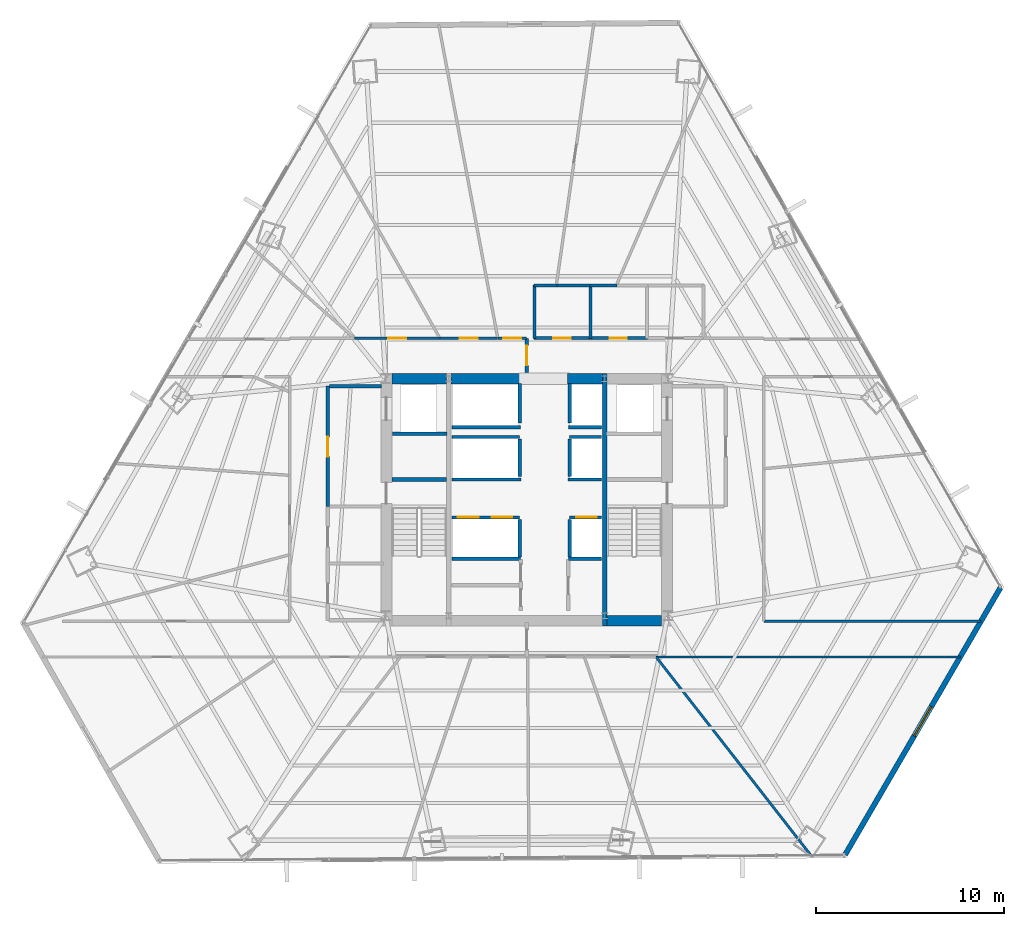
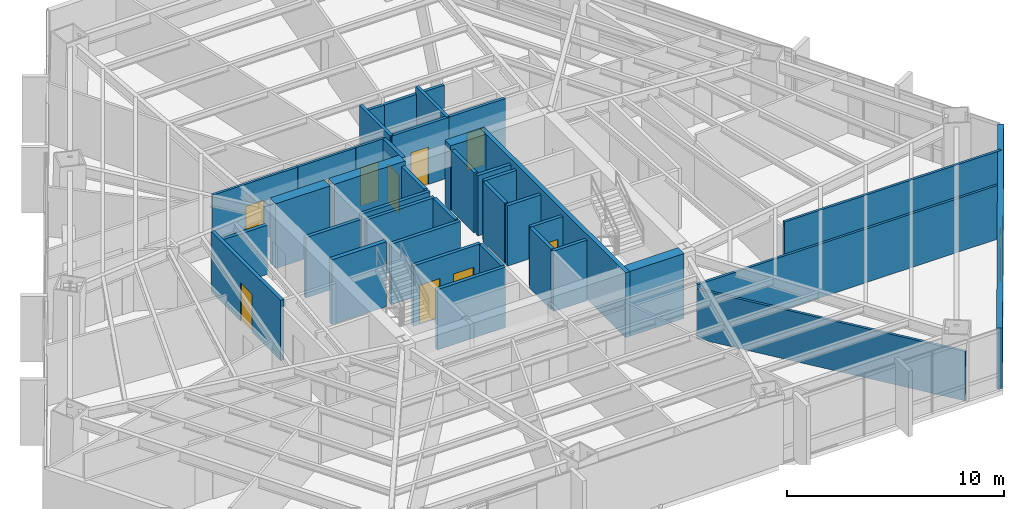
# One storey, part 30 of 34: 40 walls, 10 doors, 1 window, 11 openings.
"""IFC4 building model written with IfcOpenShell, lengths in metres."""

import ifcopenshell
import ifcopenshell.guid

model = None  # the IFC model being written
_history = None  # IfcOwnerHistory: only IFC2X3 demands one
_inside = {}  # id of a spatial element -> (the spatial element, [elements in it])
_under = {}  # id of a project, library or spatial element -> (it, [spatial elements below it])
_declared = {}  # id of a project -> (the project, [libraries it declares])
_typed = {}  # id of a type object -> (the type object, [elements of that type])
_made_of = {}  # id of a material, layer set ... -> (it, [elements and type objects made of it])


def new_model(schema):
    """Start an empty IFC model of exactly this schema.

    Asked for "IFC4X3", IfcOpenShell would pick the latest addendum, in which some entities
    have other attributes; the version numbers below select the first issue.
    IFC2X3 requires an IfcOwnerHistory on every rooted entity: one is made here for all.
    """
    global model, _history
    if schema == "IFC4X3":
        model = ifcopenshell.file(schema_version=(4, 3, 0, 0))
    else:
        model = ifcopenshell.file(schema=schema)
    _inside.clear()
    _under.clear()
    _declared.clear()
    _typed.clear()
    _made_of.clear()
    _history = None
    if model.schema == "IFC2X3":
        org = make("IfcOrganization", Name="unknown")
        user = make(
            "IfcPersonAndOrganization",
            ThePerson=make("IfcPerson", FamilyName="unknown"),
            TheOrganization=org,
        )
        app = make(
            "IfcApplication",
            ApplicationDeveloper=org,
            Version="unknown",
            ApplicationFullName="unknown",
            ApplicationIdentifier="unknown",
        )
        _history = make(
            "IfcOwnerHistory",
            OwningUser=user,
            OwningApplication=app,
            ChangeAction="ADDED",
            CreationDate=0,
        )
    return model


def make(cls, **values):
    """One entity of the class cls with the attributes given. An attribute that is None is left unset."""
    return model.create_entity(
        cls, **{name: value for name, value in values.items() if value is not None}
    )


def rooted(cls, **values):
    """An entity with a GlobalId (a new one), such as an element, a storey or a relation."""
    return make(cls, GlobalId=ifcopenshell.guid.new(), OwnerHistory=_history, **values)


def si_unit(unit_type, name, prefix=None):
    """IfcSIUnit, for example si_unit("LENGTHUNIT", "METRE", prefix="MILLI")."""
    return make("IfcSIUnit", UnitType=unit_type, Prefix=prefix, Name=name)


def assignment(units):
    """IfcUnitAssignment: the units of a project."""
    return None if units is None else make("IfcUnitAssignment", Units=units)


def point(xyz):
    """IfcCartesianPoint."""
    return None if xyz is None else make("IfcCartesianPoint", Coordinates=xyz)


def direction(xyz):
    """IfcDirection."""
    return None if xyz is None else make("IfcDirection", DirectionRatios=xyz)


def frame(location, z_axis=None, x_axis=None):
    """IfcAxis2Placement3D, a coordinate frame: its origin and axes. An axis left out is left unset."""
    return make(
        "IfcAxis2Placement3D",
        Location=point(location),
        Axis=direction(z_axis),
        RefDirection=direction(x_axis),
    )


def frame_2d(location, x_axis=None):
    """IfcAxis2Placement2D, a coordinate frame in the plane: its origin and x axis."""
    return make(
        "IfcAxis2Placement2D", Location=point(location), RefDirection=direction(x_axis)
    )


def origin():
    """The frame at (0, 0, 0) with its axes left unset."""
    return frame((0.0, 0.0, 0.0))


def place(relative_to, where):
    """IfcLocalPlacement: puts the frame where relative to a parent placement (None: the world)."""
    return make(
        "IfcLocalPlacement", PlacementRelTo=relative_to, RelativePlacement=where
    )


def context(
    kind, dimensions, precision=None, world=None, true_north=None, identifier=None
):
    """IfcGeometricRepresentationContext, for example the 3D "Model" context."""
    return make(
        "IfcGeometricRepresentationContext",
        ContextIdentifier=identifier,
        ContextType=kind,
        CoordinateSpaceDimension=dimensions,
        Precision=precision,
        WorldCoordinateSystem=world,
        TrueNorth=true_north,
    )


def subcontext(parent, identifier, kind, view, scale=None):
    """IfcGeometricRepresentationSubContext, for example "Body" below "Model"."""
    return make(
        "IfcGeometricRepresentationSubContext",
        ContextIdentifier=identifier,
        ContextType=kind,
        ParentContext=parent,
        TargetScale=scale,
        TargetView=view,
    )


def project(units=None, contexts=None):
    """IfcProject with its units and contexts."""
    return rooted(
        "IfcProject",
        Name="project",
        RepresentationContexts=contexts,
        UnitsInContext=assignment(units),
    )


def spatial(cls, under=None, at=None, **own):
    """A site, building, storey or space (cls), placed at a placement, below another one or the project."""
    s = rooted(cls, ObjectPlacement=at, **own)
    if under is not None:
        _under.setdefault(under.id(), (under, []))[1].append(s)
    return s


def profile(cls, at=None, kind="AREA", **sizes):
    """A parametric profile (cls). Its sizes go by their IFC names, for example OverallWidth=200.0."""
    return make(cls, ProfileType=kind, Position=at, **sizes)


def rectangle(**sizes):
    """IfcRectangleProfileDef."""
    return profile("IfcRectangleProfileDef", **sizes)


def extrude(swept, where, along, depth):
    """IfcExtrudedAreaSolid: the profile swept, set in the frame where, extruded along a direction by depth."""
    return make(
        "IfcExtrudedAreaSolid",
        SweptArea=swept,
        Position=where,
        ExtrudedDirection=direction(along),
        Depth=depth,
    )


def shape(context_of_items, identifier, shape_type, items):
    """IfcShapeRepresentation: the items that make up one representation, for example the "Body"."""
    return make(
        "IfcShapeRepresentation",
        ContextOfItems=context_of_items,
        RepresentationIdentifier=identifier,
        RepresentationType=shape_type,
        Items=items,
    )


def material(Name=None, Category=None):
    """IfcMaterial."""
    return make("IfcMaterial", Name=Name, Category=Category)


def layer(
    of_material, thickness, ventilated=None, Name=None, Category=None, Priority=None
):
    """IfcMaterialLayer: one layer of a wall or slab, of a material (None: an air gap)."""
    return make(
        "IfcMaterialLayer",
        Material=of_material,
        LayerThickness=thickness,
        IsVentilated=ventilated,
        Name=Name,
        Category=Category,
        Priority=Priority,
    )


def layer_set(layers, Name=None):
    """IfcMaterialLayerSet."""
    return make("IfcMaterialLayerSet", MaterialLayers=layers, LayerSetName=Name)


def made_of(thing, what):
    """Note that an element or type object is made of a material, layer set ...; save() writes the relation."""
    if what is not None:
        _made_of.setdefault(what.id(), (what, []))[1].append(thing)
    return thing


def type_object(cls, material=None, **own):
    """A type object (cls), such as IfcWallType, which elements share."""
    return made_of(rooted(cls, **own), material)


def element(
    cls,
    number,
    at=None,
    inside=None,
    cuts=None,
    type_object=None,
    material=None,
    context=None,
    identifier="Body",
    shape_type=None,
    held_by="IfcProductDefinitionShape",
    body=None,
    shapes=None,
    **own,
):
    """One element of the class cls, such as IfcWall. Its Tag is "e" and its number.

    at: its placement. inside: the storey or other place that contains it. cuts: it is an
    opening in that element (IfcRelVoidsElement). A single representation is given by context,
    identifier, shape_type and body (its items); several are given by shapes. held_by: the class
    of the entity that holds the representations. save() writes the other relations.
    """
    e = rooted(cls, Tag="e%d" % number, ObjectPlacement=at, **own)
    if body is not None:
        shapes = [shape(context, identifier, shape_type, body)]
    if shapes is not None:
        e.Representation = make(held_by, Representations=shapes)
    if inside is not None:
        _inside.setdefault(inside.id(), (inside, []))[1].append(e)
    if cuts is not None:
        rooted(
            "IfcRelVoidsElement", RelatingBuildingElement=cuts, RelatedOpeningElement=e
        )
    if type_object is not None:
        _typed.setdefault(type_object.id(), (type_object, []))[1].append(e)
    return made_of(e, material)


def fill(opening, filler):
    """IfcRelFillsElement: the door or window that sits in an opening."""
    return rooted(
        "IfcRelFillsElement",
        RelatingOpeningElement=opening,
        RelatedBuildingElement=filler,
    )


def aggregate(whole, parts):
    """IfcRelAggregates: a whole, such as a stair, and the parts it consists of."""
    return rooted("IfcRelAggregates", RelatingObject=whole, RelatedObjects=parts)


def save(model, path):
    """Write the relations noted so far, then the file.

    IfcRelAggregates (storeys below a building ...), IfcRelContainedInSpatialStructure (elements
    in a storey), IfcRelDefinesByType, IfcRelAssociatesMaterial and IfcRelDeclares: one each for
    every whole, place, type object, material and project.
    """
    for whole, parts in _under.values():
        aggregate(whole, parts)
    for where, things in _inside.values():
        rooted(
            "IfcRelContainedInSpatialStructure",
            RelatedElements=things,
            RelatingStructure=where,
        )
    for kind, things in _typed.values():
        rooted("IfcRelDefinesByType", RelatedObjects=things, RelatingType=kind)
    for what, things in _made_of.values():
        rooted("IfcRelAssociatesMaterial", RelatedObjects=things, RelatingMaterial=what)
    for by, libraries in _declared.values():
        rooted("IfcRelDeclares", RelatingContext=by, RelatedDefinitions=libraries)
    model.write(path)


model = new_model("IFC4")

# Units and contexts
model_context = context("Model", 3, precision=1e-05, world=origin(), true_north=direction((0.0, 1.0)))
body_context = subcontext(model_context, "Body", "Model", "MODEL_VIEW")
ifc_project = project(units=[si_unit("LENGTHUNIT", "METRE"), si_unit("AREAUNIT", "SQUARE_METRE"), si_unit("VOLUMEUNIT", "CUBIC_METRE"), si_unit("PLANEANGLEUNIT", "RADIAN"), si_unit("MASSUNIT", "GRAM", prefix="KILO")], contexts=[model_context])

# Site, building, storey
site_placement = place(None, origin())
site = spatial("IfcSite", under=ifc_project, at=site_placement, CompositionType="ELEMENT")
building_placement = place(site_placement, origin())
building = spatial("IfcBuilding", under=site, at=building_placement, Name="Caelisora Broadcast Tower", CompositionType="ELEMENT")
storey_placement = place(building_placement, frame((0.0, 0.0, 56.800048828125)))
storey = spatial("IfcBuildingStorey", under=building, at=storey_placement, Name="L14", CompositionType="ELEMENT", Elevation=56.800048828125)

# Walls
ifc_material_1 = material(Name="Concrete 65 MPa (AS 3600 S65)", Category="concrete")
ifc_layer_1 = layer(ifc_material_1, 0.550048828125, Name="Concrete 65 MPa (AS 3600 S65)")
ifc_layer_set_1 = layer_set([ifc_layer_1], Name="Concrete 65 MPa (AS 3600 S65)")
wall_type_1 = type_object("IfcWallType", Name="CW4", PredefinedType="SHEAR", material=ifc_layer_set_1)
for number, where, z_axis, x_axis, name in (
    (1, (42.260009765625, 17.125, 0.0), (0.0, 0.0, 1.0), (1.0, 0.0, 0.0), "L14 core shear wall CW4"),
    (2, (30.840087890625, 30.0, 0.0), (0.0, 0.0, 1.0), (1.0, 0.0, 0.0), "L14 core shear wall CW4"),
):
    element("IfcWall", number, at=place(storey_placement, frame(where, z_axis=z_axis, x_axis=x_axis)), inside=storey, type_object=wall_type_1, Name=name, PredefinedType="SHEAR", context=body_context, shape_type="SweptSolid", body=[
        extrude(rectangle(XDim=2.89990234375, YDim=0.550048828125, at=frame_2d((1.449951171875, 0.0))), origin(), (0.0, 0.0, 1.0), 3.64990234375),
    ])
wall_1_placement = place(storey_placement, frame((33.9599609375, 30.0, 0.0), z_axis=(0.0, 0.0, 1.0), x_axis=(1.0, 0.0, 0.0)))
element("IfcWall", 3, at=wall_1_placement, inside=storey, type_object=wall_type_1, Name="L14 core shear wall CW4", PredefinedType="SHEAR", context=body_context, shape_type="SweptSolid", body=[
    extrude(rectangle(XDim=3.780029296875, YDim=0.550048828125, at=frame_2d((1.89013671875, 0.0))), origin(), (0.0, 0.0, 1.0), 3.64990234375),
])
wall_2_placement = place(storey_placement, frame((40.159912109375, 30.0, 0.0), z_axis=(0.0, 0.0, 1.0), x_axis=(1.0, 0.0, 0.0)))
element("IfcWall", 4, at=wall_2_placement, inside=storey, type_object=wall_type_1, Name="L14 core shear wall CW4", PredefinedType="SHEAR", context=body_context, shape_type="SweptSolid", body=[
    extrude(rectangle(XDim=1.880126953125, YDim=0.550048828125, at=frame_2d((0.93994140625, 0.0))), origin(), (0.0, 0.0, 1.0), 3.64990234375),
])
ifc_material_2 = material(Name="Concrete 50 MPa (AS 3600 S50)", Category="concrete")
ifc_layer_2 = layer(ifc_material_2, 0.219970703125, Name="Concrete 50 MPa (AS 3600 S50)")
ifc_layer_set_2 = layer_set([ifc_layer_2], Name="Concrete 50 MPa (AS 3600 S50)")
wall_type_2 = type_object("IfcWallType", Name="CW7", PredefinedType="SHEAR", material=ifc_layer_set_2)
wall_3_placement = place(storey_placement, frame((42.14990234375, 16.85009765625, 0.0), z_axis=(0.0, 0.0, 1.0), x_axis=(0.0, 1.0, 0.0)))
element("IfcWall", 5, at=wall_3_placement, inside=storey, type_object=wall_type_2, Name="L14 core shear wall CW7", PredefinedType="SHEAR", context=body_context, shape_type="SweptSolid", body=[
    extrude(rectangle(XDim=13.4248046875, YDim=0.219970703125, at=frame_2d((6.71240234375, 0.0))), origin(), (0.0, 0.0, 1.0), 3.64990234375),
])
wall_4_placement = place(storey_placement, frame((30.840087890625, 24.639892578125, 0.0), z_axis=(0.0, 0.0, 1.0), x_axis=(1.0, 0.0, 0.0)))
element("IfcWall", 6, at=wall_4_placement, inside=storey, type_object=wall_type_2, Name="L14 core shear wall CW7", PredefinedType="SHEAR", context=body_context, shape_type="SweptSolid", body=[
    extrude(rectangle(XDim=2.89990234375, YDim=0.219970703125, at=frame_2d((1.449951171875, 0.0))), origin(), (0.0, 0.0, 1.0), 3.64990234375),
])

# Wall, opening, window
ifc_material_3 = material(Name="Insulated Terracotta Spandrel Wall System", Category="masonry")
ifc_layer_3 = layer(ifc_material_3, 0.280029296875, Name="Insulated Terracotta Spandrel Wall System")
ifc_layer_set_3 = layer_set([ifc_layer_3], Name="Insulated Terracotta Spandrel Wall System")
wall_type_3 = type_object("IfcWallType", Name="EW1", PredefinedType="STANDARD", material=ifc_layer_set_3)
wall_5_placement = place(storey_placement, frame((63.18701171875, 18.882080078125, 0.0), z_axis=(0.0, 0.0, 1.0), x_axis=(-0.502856411097, -0.864369961197, 0.0)))
wall_5 = element("IfcWall", 7, at=wall_5_placement, inside=storey, type_object=wall_type_3, Name="L14 exterior envelope wall EW1", PredefinedType="STANDARD", context=body_context, shape_type="SweptSolid", body=[
    extrude(rectangle(XDim=16.41796875, YDim=0.280029296875, at=frame_2d((8.208984375, 0.0))), origin(), (0.0, 0.0, 1.0), 3.39990234375),
])
opening_1_placement = place(wall_5_placement, frame((7.31005859375, 0.0, 0.89990234375)))
opening_1 = element("IfcOpeningElement", 8, at=opening_1_placement, cuts=wall_5, Name="Opening W01", PredefinedType="OPENING", context=body_context, shape_type="SweptSolid", body=[
    extrude(rectangle(XDim=1.800048828125, YDim=1.800048828125, at=frame_2d((0.89990234375, 0.89990234375))), frame((0.0, 0.152099609375, 0.0), z_axis=(0.0, -1.0, 0.0), x_axis=(1.0, 0.0, 0.0)), (0.0, 0.0, 1.0), 0.303955078125),
])
ifc_material_4 = material(Name="Double Glazed Terracotta-Framed Vision Window", Category="glass")
window_type = type_object("IfcWindowType", Name="W01", PartitioningType="SINGLE_PANEL", PredefinedType="WINDOW", material=ifc_material_4)
window_placement = place(opening_1_placement, origin())
window = element("IfcWindow", 9, at=window_placement, inside=storey, type_object=window_type, Name="L14 window W01 (L14-WN-CH0)", OverallHeight=1.800048828125, OverallWidth=1.800048828125, PartitioningType="SINGLE_PANEL", PredefinedType="WINDOW", context=body_context, shape_type="SweptSolid", body=[
    extrude(rectangle(XDim=1.800048828125, YDim=1.800048828125, at=frame_2d((0.89990234375, 0.89990234375))), frame((0.0, 0.030029296875, 0.0), z_axis=(0.0, -1.0, 0.0), x_axis=(1.0, 0.0, 0.0)), (0.0, 0.0, 1.0), 0.06005859375),
])
fill(opening_1, window)

# Wall, openings, doors
ifc_material_5 = material(Name="Fire-Rated Gypsum Shaft and Compartment Wall", Category="gypsum")
ifc_layer_4 = layer(ifc_material_5, 0.179931640625, Name="Fire-Rated Gypsum Shaft and Compartment Wall")
ifc_layer_set_4 = layer_set([ifc_layer_4], Name="Fire-Rated Gypsum Shaft and Compartment Wall")
wall_type_4 = type_object("IfcWallType", Name="PW2", PredefinedType="PARTITIONING", material=ifc_layer_set_4)
wall_6_placement = place(storey_placement, frame((34.02001953125, 22.6201171875, 0.0), z_axis=(0.0, 0.0, 1.0), x_axis=(1.0, 0.0, 0.0)))
wall_6 = element("IfcWall", 10, at=wall_6_placement, inside=storey, type_object=wall_type_4, Name="L14 fire compartment wall PW2", PredefinedType="PARTITIONING", context=body_context, shape_type="SweptSolid", body=[
    extrude(rectangle(XDim=3.60009765625, YDim=0.179931640625, at=frame_2d((1.800048828125, 0.0))), origin(), (0.0, 0.0, 1.0), 3.39990234375),
])
opening_2_placement = place(wall_6_placement, frame((0.320068359375, 0.0, 0.0)))
opening_2 = element("IfcOpeningElement", 11, at=opening_2_placement, cuts=wall_6, Name="Opening LD01", PredefinedType="OPENING", context=body_context, shape_type="SweptSolid", body=[
    extrude(rectangle(XDim=1.10009765625, YDim=2.199951171875, at=frame_2d((0.550048828125, 1.10009765625))), frame((0.0, 0.10205078125, 0.0), z_axis=(0.0, -1.0, 0.0), x_axis=(1.0, 0.0, 0.0)), (0.0, 0.0, 1.0), 0.203857421875),
])
opening_3_placement = place(wall_6_placement, frame((2.1201171875, 0.0, 0.0)))
opening_3 = element("IfcOpeningElement", 12, at=opening_3_placement, cuts=wall_6, Name="Opening LD01", PredefinedType="OPENING", context=body_context, shape_type="SweptSolid", body=[
    extrude(rectangle(XDim=1.10009765625, YDim=2.199951171875, at=frame_2d((0.550048828125, 1.10009765625))), frame((0.0, 0.10205078125, 0.0), z_axis=(0.0, -1.0, 0.0), x_axis=(1.0, 0.0, 0.0)), (0.0, 0.0, 1.0), 0.203857421875),
])
ifc_material_6 = material(Name="Stainless Steel Centre-Parting Lift Landing Door", Category="steel")
door_type_1 = type_object("IfcDoorType", Name="LD01", OperationType="NOTDEFINED", PredefinedType="DOOR", material=ifc_material_6)
door_1_placement = place(opening_2_placement, origin())
door_1 = element("IfcDoor", 13, at=door_1_placement, inside=storey, type_object=door_type_1, Name="L14 door LD01 (L14-LD-PLL1)", OperationType="SLIDING_TO_LEFT", OverallHeight=2.199951171875, OverallWidth=1.10009765625, PredefinedType="DOOR", context=body_context, shape_type="SweptSolid", body=[
    extrude(rectangle(XDim=1.10009765625, YDim=2.199951171875, at=frame_2d((0.550048828125, 1.10009765625))), frame((0.0, 0.02490234375, 0.0), z_axis=(0.0, -1.0, 0.0), x_axis=(1.0, 0.0, 0.0)), (0.0, 0.0, 1.0), 0.050048828125),
])
fill(opening_2, door_1)
door_2_placement = place(opening_3_placement, origin())
door_2 = element("IfcDoor", 14, at=door_2_placement, inside=storey, type_object=door_type_1, Name="L14 door LD01 (L14-LD-PLL2)", OperationType="SLIDING_TO_RIGHT", OverallHeight=2.199951171875, OverallWidth=1.10009765625, PredefinedType="DOOR", context=body_context, shape_type="SweptSolid", body=[
    extrude(rectangle(XDim=1.10009765625, YDim=2.199951171875, at=frame_2d((0.550048828125, 1.10009765625))), frame((0.0, 0.02490234375, 0.0), z_axis=(0.0, -1.0, 0.0), x_axis=(1.0, 0.0, 0.0)), (0.0, 0.0, 1.0), 0.050048828125),
])
fill(opening_3, door_2)

# Wall, opening, door
wall_7_placement = place(storey_placement, frame((40.280029296875, 22.6201171875, 0.0), z_axis=(0.0, 0.0, 1.0), x_axis=(1.0, 0.0, 0.0)))
wall_7 = element("IfcWall", 15, at=wall_7_placement, inside=storey, type_object=wall_type_4, Name="L14 fire compartment wall PW2", PredefinedType="PARTITIONING", context=body_context, shape_type="SweptSolid", body=[
    extrude(rectangle(XDim=1.699951171875, YDim=0.179931640625, at=frame_2d((0.85009765625, 0.0))), origin(), (0.0, 0.0, 1.0), 3.39990234375),
])
opening_4_placement = place(wall_7_placement, frame((0.35009765625, 0.0, 0.0)))
opening_4 = element("IfcOpeningElement", 16, at=opening_4_placement, cuts=wall_7, Name="Opening LD01", PredefinedType="OPENING", context=body_context, shape_type="SweptSolid", body=[
    extrude(rectangle(XDim=1.10009765625, YDim=2.199951171875, at=frame_2d((0.550048828125, 1.10009765625))), frame((0.0, 0.10205078125, 0.0), z_axis=(0.0, -1.0, 0.0), x_axis=(1.0, 0.0, 0.0)), (0.0, 0.0, 1.0), 0.203857421875),
])
door_3_placement = place(opening_4_placement, origin())
door_3 = element("IfcDoor", 17, at=door_3_placement, inside=storey, type_object=door_type_1, Name="L14 door LD01 (L14-LD-PLL3)", OperationType="SLIDING_TO_LEFT", OverallHeight=2.199951171875, OverallWidth=1.10009765625, PredefinedType="DOOR", context=body_context, shape_type="SweptSolid", body=[
    extrude(rectangle(XDim=1.10009765625, YDim=2.199951171875, at=frame_2d((0.550048828125, 1.10009765625))), frame((0.0, 0.02490234375, 0.0), z_axis=(0.0, -1.0, 0.0), x_axis=(1.0, 0.0, 0.0)), (0.0, 0.0, 1.0), 0.050048828125),
])
fill(opening_4, door_3)

# Walls
for number, where, z_axis, x_axis, name in (
    (18, (37.6201171875, 20.52001953125, 0.0), (0.0, 0.0, 1.0), (0.0, 1.0, 0.0), "L14 fire compartment wall PW2"),
    (19, (40.280029296875, 20.52001953125, 0.0), (0.0, 0.0, 1.0), (0.0, 1.0, 0.0), "L14 fire compartment wall PW2"),
):
    element("IfcWall", number, at=place(storey_placement, frame(where, z_axis=z_axis, x_axis=x_axis)), inside=storey, type_object=wall_type_4, Name=name, PredefinedType="PARTITIONING", context=body_context, shape_type="SweptSolid", body=[
        extrude(rectangle(XDim=2.0, YDim=0.179931640625, at=frame_2d((1.0, 0.0))), origin(), (0.0, 0.0, 1.0), 3.39990234375),
    ])
wall_8_placement = place(storey_placement, frame((34.02001953125, 26.89990234375, 0.0), z_axis=(0.0, 0.0, 1.0), x_axis=(1.0, 0.0, 0.0)))
element("IfcWall", 20, at=wall_8_placement, inside=storey, type_object=wall_type_4, Name="L14 fire compartment wall PW2", PredefinedType="PARTITIONING", context=body_context, shape_type="SweptSolid", body=[
    extrude(rectangle(XDim=3.60009765625, YDim=0.179931640625, at=frame_2d((1.800048828125, 0.0))), origin(), (0.0, 0.0, 1.0), 3.39990234375),
])
wall_9_placement = place(storey_placement, frame((40.280029296875, 26.89990234375, 0.0), z_axis=(0.0, 0.0, 1.0), x_axis=(1.0, 0.0, 0.0)))
element("IfcWall", 21, at=wall_9_placement, inside=storey, type_object=wall_type_4, Name="L14 fire compartment wall PW2", PredefinedType="PARTITIONING", context=body_context, shape_type="SweptSolid", body=[
    extrude(rectangle(XDim=1.699951171875, YDim=0.179931640625, at=frame_2d((0.85009765625, 0.0))), origin(), (0.0, 0.0, 1.0), 3.39990234375),
])
for number, where, z_axis, x_axis, name in (
    (22, (37.6201171875, 24.800048828125, 0.0), (0.0, 0.0, 1.0), (0.0, 1.0, 0.0), "L14 fire compartment wall PW2"),
    (23, (40.280029296875, 24.800048828125, 0.0), (0.0, 0.0, 1.0), (0.0, 1.0, 0.0), "L14 fire compartment wall PW2"),
):
    element("IfcWall", number, at=place(storey_placement, frame(where, z_axis=z_axis, x_axis=x_axis)), inside=storey, type_object=wall_type_4, Name=name, PredefinedType="PARTITIONING", context=body_context, shape_type="SweptSolid", body=[
        extrude(rectangle(XDim=2.0, YDim=0.179931640625, at=frame_2d((1.0, 0.0))), origin(), (0.0, 0.0, 1.0), 3.39990234375),
    ])
wall_10_placement = place(storey_placement, frame((34.02001953125, 24.639892578125, 0.0), z_axis=(0.0, 0.0, 1.0), x_axis=(1.0, 0.0, 0.0)))
element("IfcWall", 24, at=wall_10_placement, inside=storey, type_object=wall_type_4, Name="L14 fire compartment wall PW2", PredefinedType="PARTITIONING", context=body_context, shape_type="SweptSolid", body=[
    extrude(rectangle(XDim=3.679931640625, YDim=0.179931640625, at=frame_2d((1.83984375, 0.0))), origin(), (0.0, 0.0, 1.0), 3.39990234375),
])
wall_11_placement = place(storey_placement, frame((40.199951171875, 24.639892578125, 0.0), z_axis=(0.0, 0.0, 1.0), x_axis=(1.0, 0.0, 0.0)))
element("IfcWall", 25, at=wall_11_placement, inside=storey, type_object=wall_type_4, Name="L14 fire compartment wall PW2", PredefinedType="PARTITIONING", context=body_context, shape_type="SweptSolid", body=[
    extrude(rectangle(XDim=1.780029296875, YDim=0.179931640625, at=frame_2d((0.89013671875, 0.0))), origin(), (0.0, 0.0, 1.0), 3.39990234375),
])
wall_12_placement = place(storey_placement, frame((34.02001953125, 27.419921875, 0.0), z_axis=(0.0, 0.0, 1.0), x_axis=(1.0, 0.0, 0.0)))
element("IfcWall", 26, at=wall_12_placement, inside=storey, type_object=wall_type_4, Name="L14 fire compartment wall PW2", PredefinedType="PARTITIONING", context=body_context, shape_type="SweptSolid", body=[
    extrude(rectangle(XDim=3.659912109375, YDim=0.179931640625, at=frame_2d((1.830078125, 0.0))), origin(), (0.0, 0.0, 1.0), 3.39990234375),
])
wall_13_placement = place(storey_placement, frame((40.219970703125, 27.419921875, 0.0), z_axis=(0.0, 0.0, 1.0), x_axis=(1.0, 0.0, 0.0)))
element("IfcWall", 27, at=wall_13_placement, inside=storey, type_object=wall_type_4, Name="L14 fire compartment wall PW2", PredefinedType="PARTITIONING", context=body_context, shape_type="SweptSolid", body=[
    extrude(rectangle(XDim=1.760009765625, YDim=0.179931640625, at=frame_2d((0.8798828125, 0.0))), origin(), (0.0, 0.0, 1.0), 3.39990234375),
])
for number, where, z_axis, x_axis, name in (
    (28, (37.6201171875, 27.639892578125, 0.0), (0.0, 0.0, 1.0), (0.0, 1.0, 0.0), "L14 fire compartment wall PW2"),
    (29, (40.280029296875, 27.639892578125, 0.0), (0.0, 0.0, 1.0), (0.0, 1.0, 0.0), "L14 fire compartment wall PW2"),
):
    element("IfcWall", number, at=place(storey_placement, frame(where, z_axis=z_axis, x_axis=x_axis)), inside=storey, type_object=wall_type_4, Name=name, PredefinedType="PARTITIONING", context=body_context, shape_type="SweptSolid", body=[
        extrude(rectangle(XDim=2.110107421875, YDim=0.179931640625, at=frame_2d((1.05517578125, 0.0))), origin(), (0.0, 0.0, 1.0), 3.39990234375),
    ])

# Wall, opening, door
wall_14_placement = place(storey_placement, frame((27.419921875, 23.199951171875, 0.0), z_axis=(0.0, 0.0, 1.0), x_axis=(0.0, 1.0, 0.0)))
wall_14 = element("IfcWall", 30, at=wall_14_placement, inside=storey, type_object=wall_type_4, Name="L14 fire compartment wall PW2", PredefinedType="PARTITIONING", context=body_context, shape_type="SweptSolid", body=[
    extrude(rectangle(XDim=6.400146484375, YDim=0.179931640625, at=frame_2d((3.2001953125, 0.0))), origin(), (0.0, 0.0, 1.0), 3.39990234375),
])
opening_5_placement = place(wall_14_placement, frame((2.64990234375, 0.0, 0.0)))
opening_5 = element("IfcOpeningElement", 31, at=opening_5_placement, cuts=wall_14, Name="Opening FD02", PredefinedType="OPENING", context=body_context, shape_type="SweptSolid", body=[
    extrude(rectangle(XDim=1.050048828125, YDim=2.14990234375, at=frame_2d((0.52490234375, 1.074951171875))), frame((0.0, 0.10205078125, 0.0), z_axis=(0.0, -1.0, 0.0), x_axis=(1.0, 0.0, 0.0)), (0.0, 0.0, 1.0), 0.203857421875),
])
ifc_material_7 = material(Name="Single-Leaf Steel Fire Lobby Door", Category="steel")
door_type_2 = type_object("IfcDoorType", Name="FD02", OperationType="NOTDEFINED", PredefinedType="DOOR", material=ifc_material_7)
door_4_placement = place(opening_5_placement, origin())
door_4 = element("IfcDoor", 32, at=door_4_placement, inside=storey, type_object=door_type_2, Name="L14 door FD02 (L14-DR-P01D1)", OperationType="SINGLE_SWING_LEFT", OverallHeight=2.14990234375, OverallWidth=1.050048828125, PredefinedType="DOOR", context=body_context, shape_type="SweptSolid", body=[
    extrude(rectangle(XDim=1.050048828125, YDim=2.14990234375, at=frame_2d((0.52490234375, 1.074951171875))), frame((0.0, 0.02490234375, 0.0), z_axis=(0.0, -1.0, 0.0), x_axis=(1.0, 0.0, 0.0)), (0.0, 0.0, 1.0), 0.050048828125),
])
fill(opening_5, door_4)

# Walls
wall_15_placement = place(storey_placement, frame((27.52001953125, 29.60009765625, 0.0), z_axis=(0.0, 0.0, 1.0), x_axis=(1.0, 0.0, 0.0)))
element("IfcWall", 33, at=wall_15_placement, inside=storey, type_object=wall_type_4, Name="L14 fire compartment wall PW2", PredefinedType="PARTITIONING", context=body_context, shape_type="SweptSolid", body=[
    extrude(rectangle(XDim=2.760009765625, YDim=0.179931640625, at=frame_2d((1.3798828125, 0.0))), origin(), (0.0, 0.0, 1.0), 2.78271484375),
])
wall_16_placement = place(storey_placement, frame((30.860107421875, 27.070068359375, 0.0), z_axis=(0.0, 0.0, 1.0), x_axis=(1.0, 0.0, 0.0)))
element("IfcWall", 34, at=wall_16_placement, inside=storey, type_object=wall_type_4, Name="L14 fire compartment wall PW2", PredefinedType="PARTITIONING", context=body_context, shape_type="SweptSolid", body=[
    extrude(rectangle(XDim=2.89990234375, YDim=0.179931640625, at=frame_2d((1.449951171875, 0.0))), origin(), (0.0, 0.0, 1.0), 3.39990234375),
])
wall_17_placement = place(storey_placement, frame((34.02001953125, 20.419921875, 0.0), z_axis=(0.0, 0.0, 1.0), x_axis=(1.0, 0.0, 0.0)))
element("IfcWall", 35, at=wall_17_placement, inside=storey, type_object=wall_type_4, Name="L14 fire compartment wall PW2", PredefinedType="PARTITIONING", context=body_context, shape_type="SweptSolid", body=[
    extrude(rectangle(XDim=3.639892578125, YDim=0.179931640625, at=frame_2d((1.81982421875, 0.0))), origin(), (0.0, 0.0, 1.0), 3.39990234375),
])
wall_18_placement = place(storey_placement, frame((40.219970703125, 20.419921875, 0.0), z_axis=(0.0, 0.0, 1.0), x_axis=(1.0, 0.0, 0.0)))
element("IfcWall", 36, at=wall_18_placement, inside=storey, type_object=wall_type_4, Name="L14 fire compartment wall PW2", PredefinedType="PARTITIONING", context=body_context, shape_type="SweptSolid", body=[
    extrude(rectangle(XDim=1.760009765625, YDim=0.179931640625, at=frame_2d((0.8798828125, 0.0))), origin(), (0.0, 0.0, 1.0), 3.39990234375),
])

# Wall, opening, door
wall_19_placement = place(storey_placement, frame((38.0, 30.320068359375, 0.0), z_axis=(0.0, 0.0, 1.0), x_axis=(0.0, 1.0, 0.0)))
wall_19 = element("IfcWall", 37, at=wall_19_placement, inside=storey, type_object=wall_type_4, Name="L14 fire compartment wall PW2", PredefinedType="PARTITIONING", context=body_context, shape_type="SweptSolid", body=[
    extrude(rectangle(XDim=1.824951171875, YDim=0.179931640625, at=frame_2d((0.91259765625, 0.0))), origin(), (0.0, 0.0, 1.0), 3.39990234375),
])
opening_6_placement = place(wall_19_placement, frame((0.387939453125, 0.0, 0.0)))
opening_6 = element("IfcOpeningElement", 38, at=opening_6_placement, cuts=wall_19, Name="Opening FD02", PredefinedType="OPENING", context=body_context, shape_type="SweptSolid", body=[
    extrude(rectangle(XDim=1.050048828125, YDim=2.14990234375, at=frame_2d((0.52490234375, 1.074951171875))), frame((0.0, 0.10205078125, 0.0), z_axis=(0.0, -1.0, 0.0), x_axis=(1.0, 0.0, 0.0)), (0.0, 0.0, 1.0), 0.203857421875),
])
door_5_placement = place(opening_6_placement, origin())
door_5 = element("IfcDoor", 39, at=door_5_placement, inside=storey, type_object=door_type_2, Name="L14 door FD02 (L14-DR-P68D1)", OperationType="SINGLE_SWING_LEFT", OverallHeight=2.14990234375, OverallWidth=1.050048828125, PredefinedType="DOOR", context=body_context, shape_type="SweptSolid", body=[
    extrude(rectangle(XDim=1.050048828125, YDim=2.14990234375, at=frame_2d((0.52490234375, 1.074951171875))), frame((0.0, 0.02490234375, 0.0), z_axis=(0.0, -1.0, 0.0), x_axis=(1.0, 0.0, 0.0)), (0.0, 0.0, 1.0), 0.050048828125),
])
fill(opening_6, door_5)

# Walls
ifc_material_8 = material(Name="Acoustic Steel-Stud Plasterboard Partition", Category="gypsum")
ifc_layer_5 = layer(ifc_material_8, 0.1298828125, Name="Acoustic Steel-Stud Plasterboard Partition")
ifc_layer_set_5 = layer_set([ifc_layer_5], Name="Acoustic Steel-Stud Plasterboard Partition")
wall_type_5 = type_object("IfcWallType", Name="PW3", PredefinedType="PARTITIONING", material=ifc_layer_set_5)
wall_20_placement = place(storey_placement, frame((44.885009765625, 15.199951171875, 0.0), z_axis=(0.0, 0.0, 1.0), x_axis=(1.0, 0.0, 0.0)))
element("IfcWall", 40, at=wall_20_placement, inside=storey, type_object=wall_type_5, Name="L14 internal partition PW3", PredefinedType="PARTITIONING", context=body_context, shape_type="SweptSolid", body=[
    extrude(rectangle(XDim=16.165771484375, YDim=0.1298828125, at=frame_2d((8.0830078125, 0.0))), origin(), (0.0, 0.0, 1.0), 3.0263671875),
])
wall_21_placement = place(storey_placement, frame((44.883056640625, 15.196044921875, 0.0), z_axis=(0.0, 0.0, 1.0), x_axis=(0.615166320432, -0.788397360603, 0.0)))
element("IfcWall", 41, at=wall_21_placement, inside=storey, type_object=wall_type_5, Name="L14 internal partition PW3", PredefinedType="PARTITIONING", context=body_context, shape_type="SweptSolid", body=[
    extrude(rectangle(XDim=13.381591796875, YDim=0.1298828125, at=frame_2d((6.69091796875, 0.0))), origin(), (0.0, 0.0, 1.0), 2.78271484375),
])
wall_22_placement = place(storey_placement, frame((62.156005859375, 17.10009765625, 0.0), z_axis=(0.0, 0.0, 1.0), x_axis=(-1.0, 0.0, 0.0)))
element("IfcWall", 42, at=wall_22_placement, inside=storey, type_object=wall_type_5, Name="L14 internal partition PW3", PredefinedType="PARTITIONING", context=body_context, shape_type="SweptSolid", body=[
    extrude(rectangle(XDim=11.551025390625, YDim=0.1298828125, at=frame_2d((5.775390625, 0.0))), origin(), (0.0, 0.0, 1.0), 3.39990234375),
])

# Wall, opening, door
wall_23_placement = place(storey_placement, frame((28.8349609375, 32.14990234375, 0.0), z_axis=(0.0, 0.0, 1.0), x_axis=(1.0, 0.0, 0.0)))
wall_23 = element("IfcWall", 43, at=wall_23_placement, inside=storey, type_object=wall_type_5, Name="L14 internal partition PW3", PredefinedType="PARTITIONING", context=body_context, shape_type="SweptSolid", body=[
    extrude(rectangle(XDim=4.5400390625, YDim=0.1298828125, at=frame_2d((2.27001953125, 0.0))), origin(), (0.0, 0.0, 1.0), 3.39990234375),
])
opening_7_placement = place(wall_23_placement, frame((1.7900390625, 0.0, 0.0)))
opening_7 = element("IfcOpeningElement", 44, at=opening_7_placement, cuts=wall_23, Name="Opening D01", PredefinedType="OPENING", context=body_context, shape_type="SweptSolid", body=[
    extrude(rectangle(XDim=0.9599609375, YDim=2.14990234375, at=frame_2d((0.47998046875, 1.074951171875))), frame((0.0, 0.076904296875, 0.0), z_axis=(0.0, -1.0, 0.0), x_axis=(1.0, 0.0, 0.0)), (0.0, 0.0, 1.0), 0.15380859375),
])
ifc_material_9 = material(Name="Solid-Core Timber Acoustic Office Door", Category="wood")
door_type_3 = type_object("IfcDoorType", Name="D01", OperationType="NOTDEFINED", PredefinedType="DOOR", material=ifc_material_9)
door_6_placement = place(opening_7_placement, origin())
door_6 = element("IfcDoor", 45, at=door_6_placement, inside=storey, type_object=door_type_3, Name="L14 door D01 (L14-DR-P54D1)", OperationType="SINGLE_SWING_LEFT", OverallHeight=2.14990234375, OverallWidth=0.9599609375, PredefinedType="DOOR", context=body_context, shape_type="SweptSolid", body=[
    extrude(rectangle(XDim=0.9599609375, YDim=2.14990234375, at=frame_2d((0.47998046875, 1.074951171875))), frame((0.0, 0.02490234375, 0.0), z_axis=(0.0, -1.0, 0.0), x_axis=(1.0, 0.0, 0.0)), (0.0, 0.0, 1.0), 0.050048828125),
])
fill(opening_7, door_6)

wall_24_placement = place(storey_placement, frame((33.385009765625, 32.14990234375, 0.0), z_axis=(0.0, 0.0, 1.0), x_axis=(1.0, 0.0, 0.0)))
wall_24 = element("IfcWall", 46, at=wall_24_placement, inside=storey, type_object=wall_type_5, Name="L14 internal partition PW3", PredefinedType="PARTITIONING", context=body_context, shape_type="SweptSolid", body=[
    extrude(rectangle(XDim=3.070068359375, YDim=0.1298828125, at=frame_2d((1.53515625, 0.0))), origin(), (0.0, 0.0, 1.0), 3.39990234375),
])
opening_8_placement = place(wall_24_placement, frame((1.054931640625, 0.0, 0.0)))
opening_8 = element("IfcOpeningElement", 47, at=opening_8_placement, cuts=wall_24, Name="Opening D01", PredefinedType="OPENING", context=body_context, shape_type="SweptSolid", body=[
    extrude(rectangle(XDim=0.9599609375, YDim=2.14990234375, at=frame_2d((0.47998046875, 1.074951171875))), frame((0.0, 0.076904296875, 0.0), z_axis=(0.0, -1.0, 0.0), x_axis=(1.0, 0.0, 0.0)), (0.0, 0.0, 1.0), 0.15380859375),
])
door_7_placement = place(opening_8_placement, origin())
door_7 = element("IfcDoor", 48, at=door_7_placement, inside=storey, type_object=door_type_3, Name="L14 door D01 (L14-DR-P62D1)", OperationType="SINGLE_SWING_LEFT", OverallHeight=2.14990234375, OverallWidth=0.9599609375, PredefinedType="DOOR", context=body_context, shape_type="SweptSolid", body=[
    extrude(rectangle(XDim=0.9599609375, YDim=2.14990234375, at=frame_2d((0.47998046875, 1.074951171875))), frame((0.0, 0.02490234375, 0.0), z_axis=(0.0, -1.0, 0.0), x_axis=(1.0, 0.0, 0.0)), (0.0, 0.0, 1.0), 0.050048828125),
])
fill(opening_8, door_7)

wall_25_placement = place(storey_placement, frame((36.465087890625, 32.14990234375, 0.0), z_axis=(0.0, 0.0, 1.0), x_axis=(1.0, 0.0, 0.0)))
wall_25 = element("IfcWall", 49, at=wall_25_placement, inside=storey, type_object=wall_type_5, Name="L14 internal partition PW3", PredefinedType="PARTITIONING", context=body_context, shape_type="SweptSolid", body=[
    extrude(rectangle(XDim=1.530029296875, YDim=0.1298828125, at=frame_2d((0.76513671875, 0.0))), origin(), (0.0, 0.0, 1.0), 3.39990234375),
])
opening_9_placement = place(wall_25_placement, frame((0.284912109375, 0.0, 0.0)))
opening_9 = element("IfcOpeningElement", 50, at=opening_9_placement, cuts=wall_25, Name="Opening D01", PredefinedType="OPENING", context=body_context, shape_type="SweptSolid", body=[
    extrude(rectangle(XDim=0.9599609375, YDim=2.14990234375, at=frame_2d((0.47998046875, 1.074951171875))), frame((0.0, 0.076904296875, 0.0), z_axis=(0.0, -1.0, 0.0), x_axis=(1.0, 0.0, 0.0)), (0.0, 0.0, 1.0), 0.15380859375),
])
door_8_placement = place(opening_9_placement, origin())
door_8 = element("IfcDoor", 51, at=door_8_placement, inside=storey, type_object=door_type_3, Name="L14 door D01 (L14-DR-P69D1)", OperationType="SINGLE_SWING_RIGHT", OverallHeight=2.14990234375, OverallWidth=0.9599609375, PredefinedType="DOOR", context=body_context, shape_type="SweptSolid", body=[
    extrude(rectangle(XDim=0.9599609375, YDim=2.14990234375, at=frame_2d((0.47998046875, 1.074951171875))), frame((0.0, 0.02490234375, 0.0), z_axis=(0.0, -1.0, 0.0), x_axis=(1.0, 0.0, 0.0)), (0.0, 0.0, 1.0), 0.050048828125),
])
fill(opening_9, door_8)

ifc_material_10 = material(Name="Moisture-Resistant Wet Plumbing Service Wall", Category="gypsum")
ifc_layer_6 = layer(ifc_material_10, 0.159912109375, Name="Moisture-Resistant Wet Plumbing Service Wall")
ifc_layer_set_6 = layer_set([ifc_layer_6], Name="Moisture-Resistant Wet Plumbing Service Wall")
wall_type_6 = type_object("IfcWallType", Name="PW4", PredefinedType="PLUMBINGWALL", material=ifc_layer_set_6)
wall_26_placement = place(storey_placement, frame((38.375, 32.14990234375, 0.0), z_axis=(0.0, 0.0, 1.0), x_axis=(1.0, 0.0, 0.0)))
wall_26 = element("IfcWall", 52, at=wall_26_placement, inside=storey, type_object=wall_type_6, Name="L14 wet plumbing wall PW4", PredefinedType="PLUMBINGWALL", context=body_context, shape_type="SweptSolid", body=[
    extrude(rectangle(XDim=3.050048828125, YDim=0.159912109375, at=frame_2d((1.52490234375, 0.0))), origin(), (0.0, 0.0, 1.0), 3.39990234375),
])
opening_10_placement = place(wall_26_placement, frame((1.034912109375, 0.0, 0.0)))
opening_10 = element("IfcOpeningElement", 53, at=opening_10_placement, cuts=wall_26, Name="Opening D03", PredefinedType="OPENING", context=body_context, shape_type="SweptSolid", body=[
    extrude(rectangle(XDim=0.919921875, YDim=2.10009765625, at=frame_2d((0.4599609375, 1.050048828125))), frame((0.0, 0.092041015625, 0.0), z_axis=(0.0, -1.0, 0.0), x_axis=(1.0, 0.0, 0.0)), (0.0, 0.0, 1.0), 0.183837890625),
])
ifc_material_11 = material(Name="Laminate Moisture-Resistant Amenity WC Door", Category="wood")
door_type_4 = type_object("IfcDoorType", Name="D03", OperationType="NOTDEFINED", PredefinedType="DOOR", material=ifc_material_11)
door_9_placement = place(opening_10_placement, origin())
door_9 = element("IfcDoor", 54, at=door_9_placement, inside=storey, type_object=door_type_4, Name="L14 door D03 (L14-DR-P17D1)", OperationType="SINGLE_SWING_RIGHT", OverallHeight=2.10009765625, OverallWidth=0.919921875, PredefinedType="DOOR", context=body_context, shape_type="SweptSolid", body=[
    extrude(rectangle(XDim=0.919921875, YDim=2.10009765625, at=frame_2d((0.4599609375, 1.050048828125))), frame((0.0, 0.02490234375, 0.0), z_axis=(0.0, -1.0, 0.0), x_axis=(1.0, 0.0, 0.0)), (0.0, 0.0, 1.0), 0.050048828125),
])
fill(opening_10, door_9)

wall_27_placement = place(storey_placement, frame((41.375, 32.14990234375, 0.0), z_axis=(0.0, 0.0, 1.0), x_axis=(1.0, 0.0, 0.0)))
wall_27 = element("IfcWall", 55, at=wall_27_placement, inside=storey, type_object=wall_type_6, Name="L14 wet plumbing wall PW4", PredefinedType="PLUMBINGWALL", context=body_context, shape_type="SweptSolid", body=[
    extrude(rectangle(XDim=3.050048828125, YDim=0.159912109375, at=frame_2d((1.52490234375, 0.0))), origin(), (0.0, 0.0, 1.0), 3.39990234375),
])
opening_11_placement = place(wall_27_placement, frame((1.034912109375, 0.0, 0.0)))
opening_11 = element("IfcOpeningElement", 56, at=opening_11_placement, cuts=wall_27, Name="Opening D03", PredefinedType="OPENING", context=body_context, shape_type="SweptSolid", body=[
    extrude(rectangle(XDim=0.919921875, YDim=2.10009765625, at=frame_2d((0.4599609375, 1.050048828125))), frame((0.0, 0.092041015625, 0.0), z_axis=(0.0, -1.0, 0.0), x_axis=(1.0, 0.0, 0.0)), (0.0, 0.0, 1.0), 0.183837890625),
])
door_10_placement = place(opening_11_placement, origin())
door_10 = element("IfcDoor", 57, at=door_10_placement, inside=storey, type_object=door_type_4, Name="L14 door D03 (L14-DR-P18D1)", OperationType="SINGLE_SWING_LEFT", OverallHeight=2.10009765625, OverallWidth=0.919921875, PredefinedType="DOOR", context=body_context, shape_type="SweptSolid", body=[
    extrude(rectangle(XDim=0.919921875, YDim=2.10009765625, at=frame_2d((0.4599609375, 1.050048828125))), frame((0.0, 0.02490234375, 0.0), z_axis=(0.0, -1.0, 0.0), x_axis=(1.0, 0.0, 0.0)), (0.0, 0.0, 1.0), 0.050048828125),
])
fill(opening_11, door_10)

# Walls
for number, where, z_axis, x_axis, name in (
    (58, (41.39990234375, 32.125, 0.0), (0.0, 0.0, 1.0), (0.0, 1.0, 0.0), "L14 wet plumbing wall PW4"),
    (59, (38.39990234375, 32.125, 0.0), (0.0, 0.0, 1.0), (0.0, 1.0, 0.0), "L14 wet plumbing wall PW4"),
):
    element("IfcWall", number, at=place(storey_placement, frame(where, z_axis=z_axis, x_axis=x_axis)), inside=storey, type_object=wall_type_6, Name=name, PredefinedType="PLUMBINGWALL", context=body_context, shape_type="SweptSolid", body=[
        extrude(rectangle(XDim=2.85009765625, YDim=0.159912109375, at=frame_2d((1.425048828125, 0.0))), origin(), (0.0, 0.0, 1.0), 3.39990234375),
    ])
wall_28_placement = place(storey_placement, frame((39.544921875, 34.949951171875, 0.0), z_axis=(0.0, 0.0, 1.0), x_axis=(1.0, 0.0, 0.0)))
element("IfcWall", 60, at=wall_28_placement, inside=storey, type_object=wall_type_6, Name="L14 wet plumbing wall PW4", PredefinedType="PLUMBINGWALL", context=body_context, shape_type="SweptSolid", body=[
    extrude(rectangle(XDim=1.880126953125, YDim=0.159912109375, at=frame_2d((0.93994140625, 0.0))), origin(), (0.0, 0.0, 1.0), 3.0263671875),
])
wall_29_placement = place(storey_placement, frame((41.375, 34.949951171875, 0.0), z_axis=(0.0, 0.0, 1.0), x_axis=(1.0, 0.0, 0.0)))
element("IfcWall", 61, at=wall_29_placement, inside=storey, type_object=wall_type_6, Name="L14 wet plumbing wall PW4", PredefinedType="PLUMBINGWALL", context=body_context, shape_type="SweptSolid", body=[
    extrude(rectangle(XDim=1.409912109375, YDim=0.159912109375, at=frame_2d((0.705078125, 0.0))), origin(), (0.0, 0.0, 1.0), 3.0263671875),
])
wall_30_placement = place(storey_placement, frame((38.375, 34.949951171875, 0.0), z_axis=(0.0, 0.0, 1.0), x_axis=(1.0, 0.0, 0.0)))
element("IfcWall", 62, at=wall_30_placement, inside=storey, type_object=wall_type_6, Name="L14 wet plumbing wall PW4", PredefinedType="PLUMBINGWALL", context=body_context, shape_type="SweptSolid", body=[
    extrude(rectangle(XDim=1.219970703125, YDim=0.159912109375, at=frame_2d((0.60986328125, 0.0))), origin(), (0.0, 0.0, 1.0), 3.0263671875),
])

save(model, "model.ifc")
